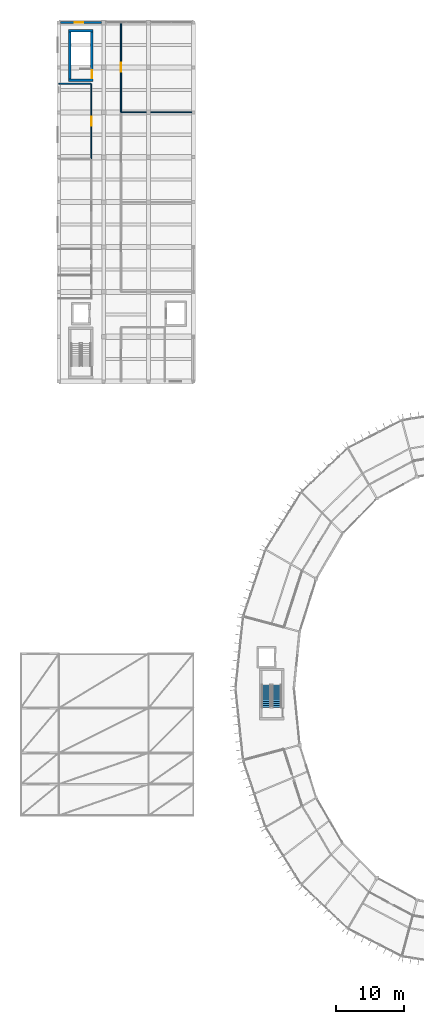
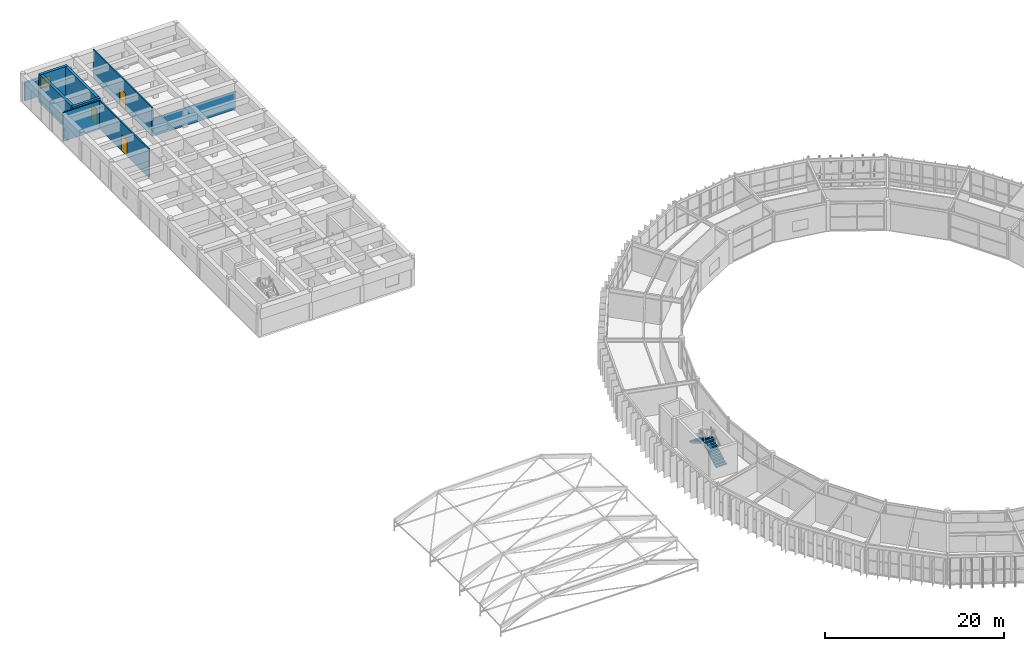
# One storey, part 123 of 134: 9 walls, 3 doors, 2 stair flights, 1 window, 4 openings, 1 element without a shape of its own.
"""IFC4 building model written with IfcOpenShell, lengths in metres."""

from ifc_helpers import new_model, si_unit, direction, frame, frame_2d, origin, place, context, subcontext, project, spatial, polyline, rectangle, outline, extrude, material, layer, layer_set, type_object, element, fill, aggregate, save


model = new_model("IFC4")

# Units and contexts
model_context = context("Model", 3, precision=1e-05, world=origin(), true_north=direction((0.0, 1.0)))
body_context = subcontext(model_context, "Body", "Model", "MODEL_VIEW")
ifc_project = project(units=[si_unit("LENGTHUNIT", "METRE"), si_unit("AREAUNIT", "SQUARE_METRE"), si_unit("VOLUMEUNIT", "CUBIC_METRE"), si_unit("PLANEANGLEUNIT", "RADIAN"), si_unit("MASSUNIT", "GRAM", prefix="KILO")], contexts=[model_context])

# Site, building, storey
site_placement = place(None, origin())
site = spatial("IfcSite", under=ifc_project, at=site_placement, CompositionType="ELEMENT")
building_placement = place(site_placement, origin())
building = spatial("IfcBuilding", under=site, at=building_placement, Name="Karori Crest Natural Sciences Institute", CompositionType="ELEMENT")
storey_placement = place(building_placement, frame((0.0, 0.0, 21.699951171875)))
storey = spatial("IfcBuildingStorey", under=building, at=storey_placement, Name="L05", CompositionType="ELEMENT", Elevation=21.699951171875)

# Walls
ifc_material_1 = material(Name="Concrete 50 MPa", Category="concrete")
ifc_layer_1 = layer(ifc_material_1, 0.35009765625, Name="Concrete 50 MPa")
ifc_layer_set_1 = layer_set([ifc_layer_1], Name="Concrete 50 MPa")
wall_type_1 = type_object("IfcWallType", Name="IWT-02", PredefinedType="SHEAR", material=ifc_layer_set_1)
for number, where, z_axis, x_axis, name in (
    (1, (8.85009765625, 139.324951171875, 0.0), (0.0, 0.0, 1.0), (1.0, 0.0, 0.0), "Shear wall IW-0221"),
    (2, (8.85009765625, 146.574951171875, 0.0), (0.0, 0.0, 1.0), (1.0, 0.0, 0.0), "Shear wall IW-0222"),
):
    element("IfcWall", number, at=place(storey_placement, frame(where, z_axis=z_axis, x_axis=x_axis)), inside=storey, type_object=wall_type_1, Name=name, PredefinedType="SHEAR", context=body_context, shape_type="SweptSolid", body=[
        extrude(rectangle(XDim=3.599853515625, YDim=0.35009765625, at=frame_2d((1.7998046875, 0.0))), origin(), (0.0, 0.0, 1.0), 3.900146484375),
    ])
wall_1_placement = place(storey_placement, frame((9.02490234375, 139.501953125, 0.0), z_axis=(0.0, 0.0, 1.0), x_axis=(0.0, 1.0, 0.0)))
element("IfcWall", 3, at=wall_1_placement, inside=storey, type_object=wall_type_1, Name="Shear wall IW-0223", PredefinedType="SHEAR", context=body_context, shape_type="SweptSolid", body=[
    extrude(rectangle(XDim=6.89599609375, YDim=0.35009765625, at=frame_2d((3.447998046875, 0.0))), origin(), (0.0, 0.0, 1.0), 3.900146484375),
])

# Wall, opening, door
wall_2_placement = place(storey_placement, frame((12.27490234375, 139.501953125, 0.0), z_axis=(0.0, 0.0, 1.0), x_axis=(0.0, 1.0, 0.0)))
wall_2 = element("IfcWall", 4, at=wall_2_placement, inside=storey, type_object=wall_type_1, Name="Shear wall IW-0224", PredefinedType="SHEAR", context=body_context, shape_type="SweptSolid", body=[
    extrude(rectangle(XDim=6.89599609375, YDim=0.35009765625, at=frame_2d((3.447998046875, 0.0))), origin(), (0.0, 0.0, 1.0), 3.900146484375),
])
opening_1_placement = place(wall_2_placement, frame((0.1201171875, 0.0, 0.0)))
opening_1 = element("IfcOpeningElement", 5, at=opening_1_placement, cuts=wall_2, Name="Opening ID-0056", PredefinedType="OPENING", context=body_context, shape_type="SweptSolid", body=[
    extrude(rectangle(XDim=1.199951171875, YDim=2.14990234375, at=frame_2d((0.60009765625, 1.074951171875))), frame((0.0, 0.18505859375, 0.0), z_axis=(0.0, -1.0, 0.0), x_axis=(1.0, 0.0, 0.0)), (0.0, 0.0, 1.0), 0.3701171875),
])
ifc_material_2 = material(Name="Stainless steel 316 and fire-rated timber", Category="steel")
door_type_1 = type_object("IfcDoorType", Name="IDT-01", OperationType="NOTDEFINED", PredefinedType="DOOR", material=ifc_material_2)
door_1_placement = place(opening_1_placement, origin())
door_1 = element("IfcDoor", 6, at=door_1_placement, inside=storey, type_object=door_type_1, Name="Stair ST-06 fire door ID-0056", OperationType="SINGLE_SWING_RIGHT", OverallHeight=2.14990234375, OverallWidth=1.199951171875, PredefinedType="DOOR", context=body_context, shape_type="SweptSolid", body=[
    extrude(rectangle(XDim=1.199951171875, YDim=2.14990234375, at=frame_2d((0.60009765625, 1.074951171875))), frame((0.0, 0.02490234375, 0.0), z_axis=(0.0, -1.0, 0.0), x_axis=(1.0, 0.0, 0.0)), (0.0, 0.0, 1.0), 0.050048828125),
])
fill(opening_1, door_1)

# Wall
ifc_material_3 = material(Name="Clean-room insulated fire partition")
ifc_layer_2 = layer(ifc_material_3, 0.14990234375, Name="Clean-room insulated fire partition")
ifc_layer_set_2 = layer_set([ifc_layer_2], Name="Clean-room insulated fire partition")
wall_type_2 = type_object("IfcWallType", Name="IWT-06", PredefinedType="PARTITIONING", material=ifc_layer_set_2)
wall_3_placement = place(storey_placement, frame((7.39990234375, 138.800048828125, 0.0), z_axis=(0.0, 0.0, 1.0), x_axis=(1.0, 0.0, 0.0)))
element("IfcWall", 7, at=wall_3_placement, inside=storey, type_object=wall_type_2, Name="Partition wall IW-1029", PredefinedType="PARTITIONING", context=body_context, shape_type="SweptSolid", body=[
    extrude(rectangle(XDim=4.697998046875, YDim=0.14990234375, at=frame_2d((2.34912109375, 0.0))), origin(), (0.0, 0.0, 1.0), 3.900146484375),
])

# Wall, opening, door
wall_4_placement = place(storey_placement, frame((12.199951171875, 127.802001953125, 0.0), z_axis=(0.0, 0.0, 1.0), x_axis=(0.0, 1.0, 0.0)))
wall_4 = element("IfcWall", 8, at=wall_4_placement, inside=storey, type_object=wall_type_2, Name="Partition wall IW-1030", PredefinedType="PARTITIONING", context=body_context, shape_type="SweptSolid", body=[
    extrude(rectangle(XDim=10.998046875, YDim=0.14990234375, at=frame_2d((5.4990234375, 0.0))), origin(), (0.0, 0.0, 1.0), 3.900146484375),
])
opening_2_placement = place(wall_4_placement, frame((4.84912109375, 0.0, 0.0)))
opening_2 = element("IfcOpeningElement", 9, at=opening_2_placement, cuts=wall_4, Name="Opening ID-0284", PredefinedType="OPENING", context=body_context, shape_type="SweptSolid", body=[
    extrude(rectangle(XDim=1.300048828125, YDim=2.199951171875, at=frame_2d((0.64990234375, 1.10009765625))), frame((0.0, 0.0849609375, 0.0), z_axis=(0.0, -1.0, 0.0), x_axis=(1.0, 0.0, 0.0)), (0.0, 0.0, 1.0), 0.169921875),
])
door_type_2 = type_object("IfcDoorType", Name="IDT-04", OperationType="NOTDEFINED", PredefinedType="DOOR", material=ifc_material_2)
door_2_placement = place(opening_2_placement, origin())
door_2 = element("IfcDoor", 10, at=door_2_placement, inside=storey, type_object=door_type_2, Name="Optical Metrology Preparation Room door ID-0284", OperationType="SINGLE_SWING_RIGHT", OverallHeight=2.199951171875, OverallWidth=1.300048828125, PredefinedType="DOOR", context=body_context, shape_type="SweptSolid", body=[
    extrude(rectangle(XDim=1.300048828125, YDim=2.199951171875, at=frame_2d((0.64990234375, 1.10009765625))), frame((0.0, 0.02490234375, 0.0), z_axis=(0.0, -1.0, 0.0), x_axis=(1.0, 0.0, 0.0)), (0.0, 0.0, 1.0), 0.050048828125),
])
fill(opening_2, door_2)

# Wall
wall_5_placement = place(storey_placement, frame((16.550048828125, 134.60009765625, 0.0), z_axis=(0.0, 0.0, 1.0), x_axis=(1.0, 0.0, 0.0)))
element("IfcWall", 11, at=wall_5_placement, inside=storey, type_object=wall_type_2, Name="Partition wall IW-1037", PredefinedType="PARTITIONING", context=body_context, shape_type="SweptSolid", body=[
    extrude(rectangle(XDim=10.64990234375, YDim=0.14990234375, at=frame_2d((5.324951171875, 0.0))), origin(), (0.0, 0.0, 1.0), 2.43505859375),
])

# Wall, opening, door
wall_6_placement = place(storey_placement, frame((16.550048828125, 134.677001953125, 0.0), z_axis=(0.0, 0.0, 1.0), x_axis=(0.0, 1.0, 0.0)))
wall_6 = element("IfcWall", 12, at=wall_6_placement, inside=storey, type_object=wall_type_2, Name="Partition wall IW-1039", PredefinedType="PARTITIONING", context=body_context, shape_type="SweptSolid", body=[
    extrude(rectangle(XDim=13.123046875, YDim=0.14990234375, at=frame_2d((6.5615234375, 0.0))), origin(), (0.0, 0.0, 1.0), 3.900146484375),
])
opening_3_placement = place(wall_6_placement, frame((5.91162109375, 0.0, 0.0)))
opening_3 = element("IfcOpeningElement", 13, at=opening_3_placement, cuts=wall_6, Name="Opening ID-0288", PredefinedType="OPENING", context=body_context, shape_type="SweptSolid", body=[
    extrude(rectangle(XDim=1.300048828125, YDim=2.199951171875, at=frame_2d((0.64990234375, 1.10009765625))), frame((0.0, 0.0849609375, 0.0), z_axis=(0.0, -1.0, 0.0), x_axis=(1.0, 0.0, 0.0)), (0.0, 0.0, 1.0), 0.169921875),
])
door_3_placement = place(opening_3_placement, origin())
door_3 = element("IfcDoor", 14, at=door_3_placement, inside=storey, type_object=door_type_2, Name="ISO Class 6 Nanofabrication Clean Room door ID-0288", OperationType="SINGLE_SWING_RIGHT", OverallHeight=2.199951171875, OverallWidth=1.300048828125, PredefinedType="DOOR", context=body_context, shape_type="SweptSolid", body=[
    extrude(rectangle(XDim=1.300048828125, YDim=2.199951171875, at=frame_2d((0.64990234375, 1.10009765625))), frame((0.0, 0.02490234375, 0.0), z_axis=(0.0, -1.0, 0.0), x_axis=(1.0, 0.0, 0.0)), (0.0, 0.0, 1.0), 0.050048828125),
])
fill(opening_3, door_3)

# Wall, opening, window
ifc_material_4 = material(Name="Precast concrete 40 MPa", Category="concrete")
ifc_layer_3 = layer(ifc_material_4, 0.260009765625, Name="Precast concrete 40 MPa")
ifc_layer_set_3 = layer_set([ifc_layer_3], Name="Precast concrete 40 MPa")
wall_type_3 = type_object("IfcWallType", Name="WT-03", PredefinedType="SOLIDWALL", material=ifc_layer_set_3)
wall_7_placement = place(storey_placement, frame((7.623046875, 147.800048828125, 0.0), z_axis=(0.0, 0.0, 1.0), x_axis=(1.0, 0.0, 0.0)))
wall_7 = element("IfcWall", 15, at=wall_7_placement, inside=storey, type_object=wall_type_3, Name="Exterior wall EW-0179", PredefinedType="SOLIDWALL", context=body_context, shape_type="SweptSolid", body=[
    extrude(rectangle(XDim=6.053955078125, YDim=0.260009765625, at=frame_2d((3.02685546875, 0.0))), origin(), (0.0, 0.0, 1.0), 2.47998046875),
])
opening_4_placement = place(wall_7_placement, frame((2.10009765625, 0.0, 0.85009765625)))
opening_4 = element("IfcOpeningElement", 16, at=opening_4_placement, cuts=wall_7, Name="Opening WN-0124", PredefinedType="OPENING", context=body_context, shape_type="SweptSolid", body=[
    extrude(rectangle(XDim=1.25, YDim=1.39990234375, at=frame_2d((0.625, 0.699951171875))), frame((0.0, 0.14013671875, 0.0), z_axis=(0.0, -1.0, 0.0), x_axis=(1.0, 0.0, 0.0)), (0.0, 0.0, 1.0), 0.280029296875),
])
ifc_material_5 = material(Name="Double low-E laminated glass", Category="glass")
window_type = type_object("IfcWindowType", Name="WNT-02", PartitioningType="SINGLE_PANEL", PredefinedType="WINDOW", material=ifc_material_5)
window_placement = place(opening_4_placement, origin())
window = element("IfcWindow", 17, at=window_placement, inside=storey, type_object=window_type, Name="Window WN-0124", OverallHeight=1.39990234375, OverallWidth=1.25, PartitioningType="SINGLE_PANEL", PredefinedType="WINDOW", context=body_context, shape_type="SweptSolid", body=[
    extrude(rectangle(XDim=1.25, YDim=1.39990234375, at=frame_2d((0.625, 0.699951171875))), frame((0.0, 0.030029296875, 0.0), z_axis=(0.0, -1.0, 0.0), x_axis=(1.0, 0.0, 0.0)), (0.0, 0.0, 1.0), 0.06005859375),
])
fill(opening_4, window)

# Stair, stair flights
ifc_material_6 = material(Name="Concrete 40 MPa", Category="concrete")
stair_type = type_object("IfcStairType", Name="STT-01", PredefinedType="HALF_TURN_STAIR", material=ifc_material_6)
stair_placement = place(storey_placement, origin())
stair = element("IfcStair", 18, at=stair_placement, inside=storey, type_object=stair_type, Name="Protected stair ST-02-L05", PredefinedType="HALF_TURN_STAIR")
stair_flight_type = type_object("IfcStairFlightType", Name="SFT-01", PredefinedType="STRAIGHT", material=ifc_material_6)
stair_flight_1_placement = place(storey_placement, frame((39.47509765625, 47.10009765625, 0.0), z_axis=(0.0, 0.0, 1.0), x_axis=(0.0, 1.0, 0.0)))
stair_flight_1 = element("IfcStairFlight", 19, at=stair_flight_1_placement, type_object=stair_flight_type, Name="ST-02-L05 flight 1", NumberOfRisers=12, NumberOfTreads=11, PredefinedType="STRAIGHT", RiserHeight=0.175, TreadLength=0.3, context=body_context, shape_type="SweptSolid", body=[
    extrude(outline(polyline([(0.0, 0.0), (0.0, 0.175048828125), (0.300048828125, 0.175048828125), (0.300048828125, 0.35009765625), (0.60009765625, 0.35009765625), (0.60009765625, 0.52490234375), (0.89990234375, 0.52490234375), (0.89990234375, 0.699951171875), (1.199951171875, 0.699951171875), (1.199951171875, 0.875), (1.5, 0.875), (1.5, 1.050048828125), (1.800048828125, 1.050048828125), (1.800048828125, 1.22509765625), (2.10009765625, 1.22509765625), (2.10009765625, 1.39990234375), (2.39990234375, 1.39990234375), (2.39990234375, 1.574951171875), (2.699951171875, 1.574951171875), (2.699951171875, 1.75), (3.0, 1.75), (3.0, 1.925048828125), (3.300048828125, 1.925048828125), (3.300048828125, 2.10009765625), (3.300048828125, 1.739990234375), (0.3173828125, 0.0), (0.0, 0.0)])), frame((0.0, 0.675048828125, 0.0), z_axis=(0.0, -1.0, 0.0), x_axis=(1.0, 0.0, 0.0)), (0.0, 0.0, 1.0), 1.35009765625),
])
stair_flight_2_placement = place(storey_placement, frame((37.925048828125, 50.39990234375, 2.10009765625), z_axis=(0.0, 0.0, 1.0), x_axis=(0.0, -1.0, 0.0)))
stair_flight_2 = element("IfcStairFlight", 20, at=stair_flight_2_placement, type_object=stair_flight_type, Name="ST-02-L05 flight 2", NumberOfRisers=12, NumberOfTreads=11, PredefinedType="STRAIGHT", RiserHeight=0.175, TreadLength=0.3, context=body_context, shape_type="SweptSolid", body=[
    extrude(outline(polyline([(0.0, 0.0), (0.0, 0.175048828125), (0.300048828125, 0.175048828125), (0.300048828125, 0.35009765625), (0.60009765625, 0.35009765625), (0.60009765625, 0.52490234375), (0.89990234375, 0.52490234375), (0.89990234375, 0.699951171875), (1.199951171875, 0.699951171875), (1.199951171875, 0.875), (1.5, 0.875), (1.5, 1.050048828125), (1.800048828125, 1.050048828125), (1.800048828125, 1.22509765625), (2.10009765625, 1.22509765625), (2.10009765625, 1.39990234375), (2.39990234375, 1.39990234375), (2.39990234375, 1.574951171875), (2.699951171875, 1.574951171875), (2.699951171875, 1.75), (3.0, 1.75), (3.0, 1.925048828125), (3.300048828125, 1.925048828125), (3.300048828125, 2.10009765625), (3.300048828125, 1.739990234375), (0.3173828125, 0.0), (0.0, 0.0)])), frame((0.0, 0.675048828125, 0.0), z_axis=(0.0, -1.0, 0.0), x_axis=(1.0, 0.0, 0.0)), (0.0, 0.0, 1.0), 1.35009765625),
])
aggregate(stair, [stair_flight_1, stair_flight_2])

save(model, "model.ifc")
